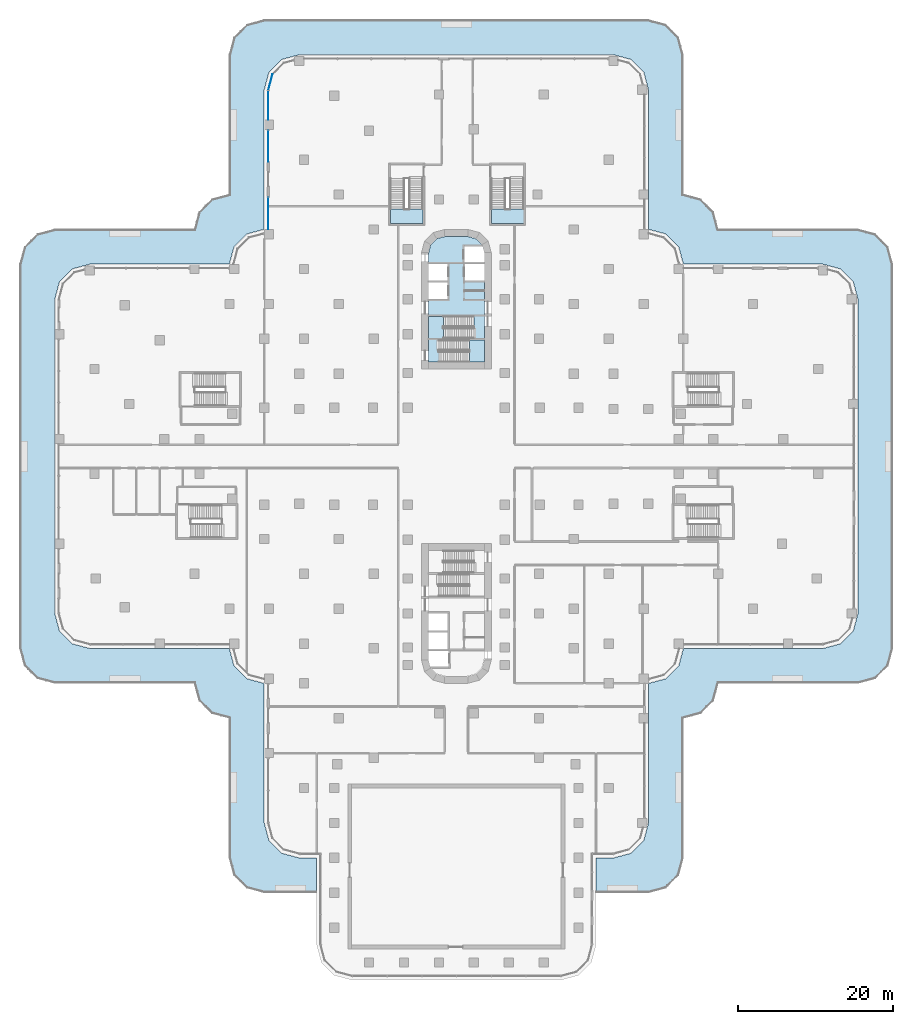
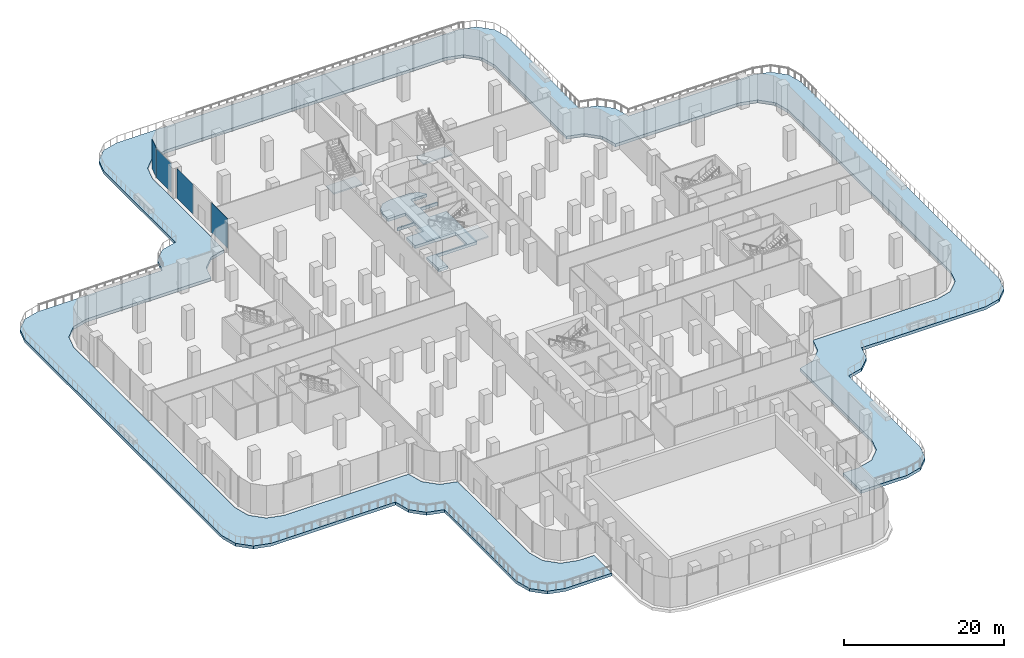
# One storey, part 14 of 30: 6 slabs, 4 plates, 6 elements without a shape of their own.
"""IFC4 building model written with IfcOpenShell, lengths in metres."""

from ifc_helpers import new_model, si_unit, direction, frame, origin, place, context, subcontext, project, spatial, polyline, outline, extrude, source, transform, mapped, material, layer, layer_set, type_object, element, aggregate, save


model = new_model("IFC4")

# Units and contexts
model_context = context("Model", 3, precision=1e-05, world=origin(), true_north=direction((0.0, 1.0)))
body_context = subcontext(model_context, "Body", "Model", "MODEL_VIEW")
ifc_project = project(units=[si_unit("LENGTHUNIT", "METRE"), si_unit("AREAUNIT", "SQUARE_METRE"), si_unit("VOLUMEUNIT", "CUBIC_METRE"), si_unit("PLANEANGLEUNIT", "RADIAN"), si_unit("MASSUNIT", "GRAM", prefix="KILO")], contexts=[model_context])

# Site, building, storey
site_placement = place(None, origin())
site = spatial("IfcSite", under=ifc_project, at=site_placement, CompositionType="ELEMENT")
building_placement = place(site_placement, origin())
building = spatial("IfcBuilding", under=site, at=building_placement, Name="Zarbagh Exchange Tower", CompositionType="ELEMENT")
storey_placement = place(building_placement, frame((0.0, 0.0, 7.0)))
storey = spatial("IfcBuildingStorey", under=building, at=storey_placement, Name="L01", CompositionType="ELEMENT", Elevation=7.0)

# Slabs
ifc_material_1 = material(Name="Concrete C50/60", Category="concrete")
ifc_layer_1 = layer(ifc_material_1, 0.449951171875)
ifc_layer_set_1 = layer_set([ifc_layer_1], Name="Core floor slab 450 C50/60")
slab_type_1 = type_object("IfcSlabType", Name="Core floor slab 450 C50/60", PredefinedType="FLOOR", material=ifc_layer_set_1)
slab_1_placement = place(storey_placement, frame((0.0, 0.0, -0.449951171875)))
element("IfcSlab", 1, at=slab_1_placement, inside=storey, type_object=slab_type_1, Name="S16 core N", PredefinedType="FLOOR", context=body_context, shape_type="SweptSolid", body=[
    extrude(outline(polyline([(-3.60009765625, 12.14990234375), (-3.60009765625, 15.199951171875), (2.25, 15.199951171875), (2.25, 18.050048828125), (-3.60009765625, 18.050048828125), (-3.60009765625, 20.25), (-1.10009765625, 20.25), (-1.10009765625, 22.449951171875), (-3.60009765625, 22.449951171875), (-3.60009765625, 22.64990234375), (-1.10009765625, 22.64990234375), (-1.10009765625, 24.85009765625), (-3.60009765625, 24.85009765625), (-3.60009765625, 26.131591796875), (-3.291259765625, 27.2841796875), (-2.5341796875, 28.041259765625), (-1.381591796875, 28.35009765625), (1.381591796875, 28.35009765625), (2.5341796875, 28.041259765625), (3.291259765625, 27.2841796875), (3.340576171875, 27.10009765625), (1.0, 27.10009765625), (1.0, 25.050048828125), (3.60009765625, 25.050048828125), (3.60009765625, 24.85009765625), (1.10009765625, 24.85009765625), (1.10009765625, 22.64990234375), (3.60009765625, 22.64990234375), (3.60009765625, 15.0), (-2.25, 15.0), (-2.25, 12.14990234375), (-3.60009765625, 12.14990234375)])), origin(), (0.0, 0.0, 1.0), 0.449951171875),
])
ifc_layer_2 = layer(ifc_material_1, 0.449951171875)
ifc_layer_set_2 = layer_set([ifc_layer_2], Name="Podium terrace roof slab 450 C50/60")
slab_type_2 = type_object("IfcSlabType", Name="Podium terrace roof slab 450 C50/60", PredefinedType="ROOF", material=ifc_layer_set_2)
slab_2_placement = place(storey_placement, frame((0.0, 0.0, -0.449951171875)))
element("IfcSlab", 2, at=slab_2_placement, inside=storey, type_object=slab_type_2, Name="S8 podium terrace roof slab", PredefinedType="ROOF", context=body_context, shape_type="SweptSolid", body=[
    extrude(outline(polyline([(-28.647216796875, -54.0), (-29.25, -51.75), (-29.25, -33.75), (-31.5, -33.147216796875), (-33.147216796875, -31.5), (-33.75, -29.25), (-51.75, -29.25), (-54.0, -28.647216796875), (-55.647216796875, -27.0), (-56.25, -24.75), (-56.25, 24.75), (-55.647216796875, 27.0), (-54.0, 28.647216796875), (-51.75, 29.25), (-33.75, 29.25), (-33.147216796875, 31.5), (-31.5, 33.147216796875), (-29.25, 33.75), (-29.25, 51.75), (-28.647216796875, 54.0), (-27.0, 55.647216796875), (-24.75, 56.25), (24.75, 56.25), (27.0, 55.647216796875), (28.647216796875, 54.0), (29.25, 51.75), (29.25, 33.75), (31.5, 33.147216796875), (33.147216796875, 31.5), (33.75, 29.25), (51.75, 29.25), (54.0, 28.647216796875), (55.647216796875, 27.0), (56.25, 24.75), (56.25, -24.75), (55.647216796875, -27.0), (54.0, -28.647216796875), (51.75, -29.25), (33.75, -29.25), (33.147216796875, -31.5), (31.5, -33.147216796875), (29.25, -33.75), (29.25, -51.75), (28.647216796875, -54.0), (27.0, -55.647216796875), (24.75, -56.25), (18.02490234375, -56.25), (18.02490234375, -51.77490234375), (20.25341796875, -51.77490234375), (22.512939453125, -51.16943359375), (24.16943359375, -49.512939453125), (24.77490234375, -47.25341796875), (24.77490234375, -29.269287109375), (27.012939453125, -28.66943359375), (28.66943359375, -27.012939453125), (29.269287109375, -24.77490234375), (47.25341796875, -24.77490234375), (49.512939453125, -24.16943359375), (51.16943359375, -22.512939453125), (51.77490234375, -20.25341796875), (51.77490234375, 20.25341796875), (51.16943359375, 22.512939453125), (49.512939453125, 24.16943359375), (47.25341796875, 24.77490234375), (29.269287109375, 24.77490234375), (28.66943359375, 27.012939453125), (27.012939453125, 28.66943359375), (24.77490234375, 29.269287109375), (24.77490234375, 47.25341796875), (24.16943359375, 49.512939453125), (22.512939453125, 51.16943359375), (20.25341796875, 51.77490234375), (-20.25341796875, 51.77490234375), (-22.512939453125, 51.16943359375), (-24.16943359375, 49.512939453125), (-24.77490234375, 47.25341796875), (-24.77490234375, 29.269287109375), (-27.012939453125, 28.66943359375), (-28.66943359375, 27.012939453125), (-29.269287109375, 24.77490234375), (-47.25341796875, 24.77490234375), (-49.512939453125, 24.16943359375), (-51.16943359375, 22.512939453125), (-51.77490234375, 20.25341796875), (-51.77490234375, -20.25341796875), (-51.16943359375, -22.512939453125), (-49.512939453125, -24.16943359375), (-47.25341796875, -24.77490234375), (-29.269287109375, -24.77490234375), (-28.66943359375, -27.012939453125), (-27.012939453125, -28.66943359375), (-24.77490234375, -29.269287109375), (-24.77490234375, -47.25341796875), (-24.16943359375, -49.512939453125), (-22.512939453125, -51.16943359375), (-20.25341796875, -51.77490234375), (-18.02490234375, -51.77490234375), (-18.02490234375, -56.25), (-24.75, -56.25), (-27.0, -55.647216796875), (-28.647216796875, -54.0)])), origin(), (0.0, 0.0, 1.0), 0.449951171875),
])

# Stair, slab
ifc_material_2 = material(Name="Concrete C40/50", Category="concrete")
stair_type = type_object("IfcStairType", Name="Exit stair two-flight half-turn", PredefinedType="HALF_TURN_STAIR", material=ifc_material_2)
stair_1_placement = place(storey_placement, origin())
stair_1 = element("IfcStair", 3, at=stair_1_placement, inside=storey, type_object=stair_type, Name="exit stair ST1", PredefinedType="HALF_TURN_STAIR")
ifc_layer_3 = layer(ifc_material_2, 0.199951171875)
ifc_layer_set_3 = layer_set([ifc_layer_3], Name="Stair landing 200 mm")
slab_type_3 = type_object("IfcSlabType", Name="Stair landing 200 mm", PredefinedType="LANDING", material=ifc_layer_set_3)
slab_3_placement = place(storey_placement, frame((0.0, 0.0, 2.300048828125)))
slab_3 = element("IfcSlab", 4, at=slab_3_placement, type_object=slab_type_3, Name="ST1 landing 1", PredefinedType="LANDING", context=body_context, shape_type="SweptSolid", body=[
    extrude(outline(polyline([(-1.669921875, 18.050048828125), (-3.60009765625, 18.050048828125), (-3.60009765625, 15.199951171875), (-1.669921875, 15.199951171875), (-1.669921875, 18.050048828125)])), origin(), (0.0, 0.0, 1.0), 0.199951171875),
])
aggregate(stair_1, [slab_3])

stair_2_placement = place(storey_placement, origin())
stair_2 = element("IfcStair", 5, at=stair_2_placement, inside=storey, type_object=stair_type, Name="exit stair ST2", PredefinedType="HALF_TURN_STAIR")
slab_4_placement = place(storey_placement, frame((0.0, 0.0, 2.300048828125)))
slab_4 = element("IfcSlab", 6, at=slab_4_placement, type_object=slab_type_3, Name="ST2 landing 1", PredefinedType="LANDING", context=body_context, shape_type="SweptSolid", body=[
    extrude(outline(polyline([(1.669921875, 12.14990234375), (3.60009765625, 12.14990234375), (3.60009765625, 15.0), (1.669921875, 15.0), (1.669921875, 12.14990234375)])), origin(), (0.0, 0.0, 1.0), 0.199951171875),
])
aggregate(stair_2, [slab_4])

stair_3_placement = place(storey_placement, origin())
stair_3 = element("IfcStair", 7, at=stair_3_placement, inside=storey, type_object=stair_type, Name="exit stair PS1", PredefinedType="HALF_TURN_STAIR")
slab_5_placement = place(storey_placement, frame((0.0, 0.0, 2.300048828125)))
slab_5 = element("IfcSlab", 8, at=slab_5_placement, type_object=slab_type_3, Name="PS1 landing 1", PredefinedType="LANDING", context=body_context, shape_type="SweptSolid", body=[
    extrude(outline(polyline([(-8.5, 31.8798828125), (-8.5, 30.0), (-4.300048828125, 30.0), (-4.300048828125, 31.8798828125), (-8.5, 31.8798828125)])), origin(), (0.0, 0.0, 1.0), 0.199951171875),
])
aggregate(stair_3, [slab_5])

stair_4_placement = place(storey_placement, origin())
stair_4 = element("IfcStair", 9, at=stair_4_placement, inside=storey, type_object=stair_type, Name="exit stair PS2", PredefinedType="HALF_TURN_STAIR")
slab_6_placement = place(storey_placement, frame((0.0, 0.0, 2.300048828125)))
slab_6 = element("IfcSlab", 10, at=slab_6_placement, type_object=slab_type_3, Name="PS2 landing 1", PredefinedType="LANDING", context=body_context, shape_type="SweptSolid", body=[
    extrude(outline(polyline([(4.5, 31.8798828125), (4.5, 30.0), (8.699951171875, 30.0), (8.699951171875, 31.8798828125), (4.5, 31.8798828125)])), origin(), (0.0, 0.0, 1.0), 0.199951171875),
])
aggregate(stair_4, [slab_6])

# Curtain wall, plate
ifc_material_3 = material(Name="Anodised aluminium frame and glazing", Category="aluminium")
curtain_wall_type = type_object("IfcCurtainWallType", Name="CWC Podium garden-wall glazing", PredefinedType="NOTDEFINED", material=ifc_material_3)
curtain_wall_1_placement = place(storey_placement, origin())
curtain_wall_1 = element("IfcCurtainWall", 11, at=curtain_wall_1_placement, inside=storey, type_object=curtain_wall_type, Name="CWC77 curtain wall", PredefinedType="NOTDEFINED")
ifc_material_4 = material(Name="Low-e double glazed unit, 6+12+6 mm")
ifc_layer_4 = layer(ifc_material_4, 0.031982421875)
ifc_layer_set_4 = layer_set([ifc_layer_4], Name="PAC Glazing panel, Low-e double glazed unit, 6+12+6 mm")
plate_type = type_object("IfcPlateType", Name="PAC Glazing panel, Low-e double glazed unit, 6+12+6 mm", PredefinedType="CURTAIN_PANEL", material=ifc_layer_set_4)
shared_shape_1 = source(origin(), body_context, "Body", "SweptSolid", [
    extrude(outline(polyline([(0.0, -0.01611328125), (2.129638671875, -0.01611328125), (2.129638671875, 0.01611328125), (0.0, 0.01611328125), (0.0, -0.01611328125)])), origin(), (0.0, 0.0, 1.0), 4.550048828125),
])
placement = place(storey_placement, origin())
plate_1 = element("IfcPlate", 12, at=placement, type_object=plate_type, Name="CWC77 glazing panel 1.1", PredefinedType="CURTAIN_PANEL", context=body_context, shape_type="MappedRepresentation", body=[
    mapped(shared_shape_1, transform((-23.69873046875, 49.2412109375, 0.0), x_axis=(-0.258824779902, -0.965924289636, 0.0), y_axis=(0.965924289636, -0.258824779902, 0.0), z_axis=(0.0, 0.0, 1.0))),
])
aggregate(curtain_wall_1, [plate_1])

# Curtain wall, plates
curtain_wall_2_placement = place(storey_placement, origin())
curtain_wall_2 = element("IfcCurtainWall", 13, at=curtain_wall_2_placement, inside=storey, type_object=curtain_wall_type, Name="CWC78 curtain wall", PredefinedType="NOTDEFINED")
shared_shape_2 = source(origin(), body_context, "Body", "SweptSolid", [
    extrude(outline(polyline([(0.0, -0.01611328125), (3.714111328125, -0.01611328125), (3.714111328125, 0.01611328125), (0.0, 0.01611328125), (0.0, -0.01611328125)])), origin(), (0.0, 0.0, 1.0), 4.469970703125),
])
plate_2 = element("IfcPlate", 14, at=placement, type_object=plate_type, Name="CWC78 glazing panel 1.1", PredefinedType="CURTAIN_PANEL", context=body_context, shape_type="MappedRepresentation", body=[
    mapped(shared_shape_2, transform((-24.25, 47.104248046875, 0.0), x_axis=(0.0, -1.0, 0.0), y_axis=(1.0, 0.0, 0.0), z_axis=(0.0, 0.0, 1.0))),
])
shared_shape_3 = source(origin(), body_context, "Body", "SweptSolid", [
    extrude(outline(polyline([(0.0, -0.01611328125), (4.080078125, -0.01611328125), (4.080078125, 0.01611328125), (0.0, 0.01611328125), (0.0, -0.01611328125)])), origin(), (0.0, 0.0, 1.0), 4.550048828125),
])
plate_3 = element("IfcPlate", 15, at=placement, type_object=plate_type, Name="CWC78 glazing panel 2.1", PredefinedType="CURTAIN_PANEL", context=body_context, shape_type="MappedRepresentation", body=[
    mapped(shared_shape_3, transform((-24.25, 42.030029296875, 0.0), x_axis=(0.0, -1.0, 0.0), y_axis=(1.0, 0.0, 0.0), z_axis=(0.0, 0.0, 1.0))),
])
plate_4 = element("IfcPlate", 16, at=placement, type_object=plate_type, Name="CWC78 glazing panel 3.1", PredefinedType="CURTAIN_PANEL", context=body_context, shape_type="MappedRepresentation", body=[
    mapped(shared_shape_3, transform((-24.25, 33.369873046875, 0.0), x_axis=(0.0, -1.0, 0.0), y_axis=(1.0, 0.0, 0.0), z_axis=(0.0, 0.0, 1.0))),
])
aggregate(curtain_wall_2, [plate_2, plate_3, plate_4])

save(model, "model.ifc")
